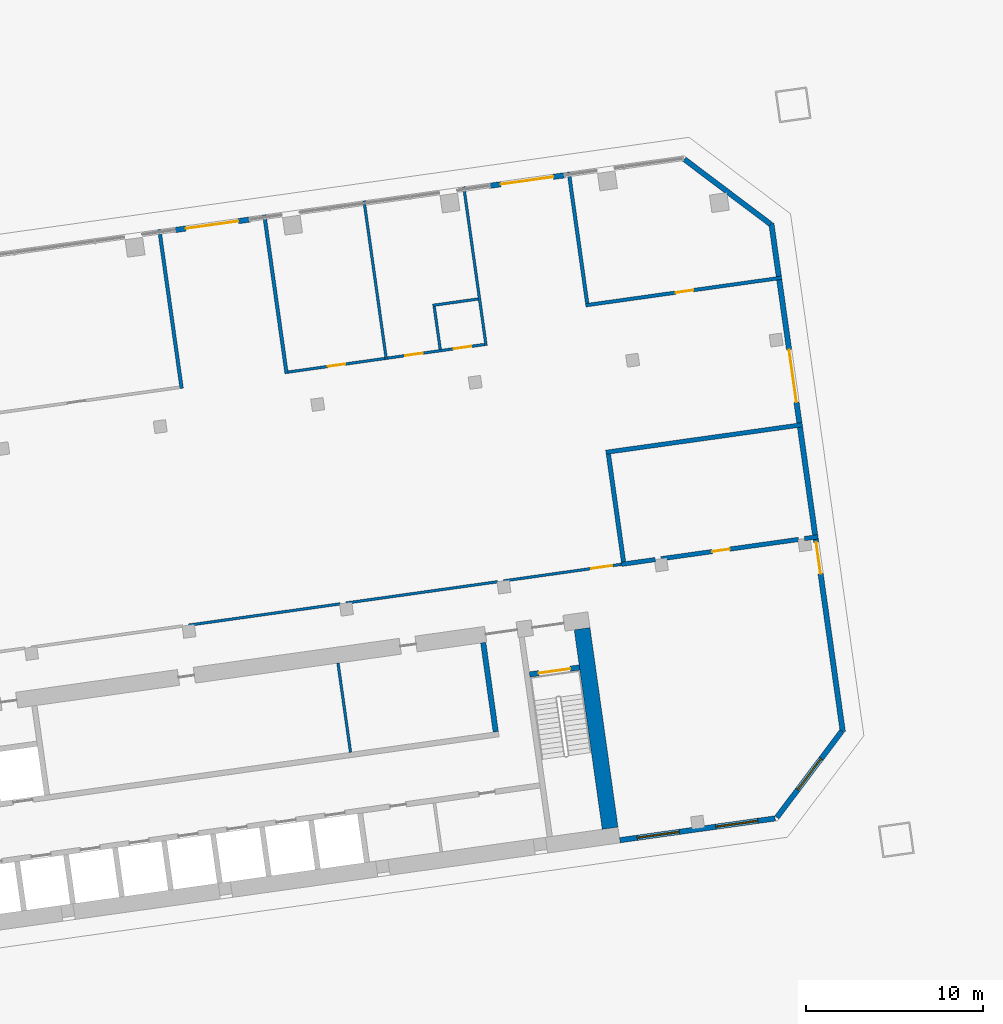
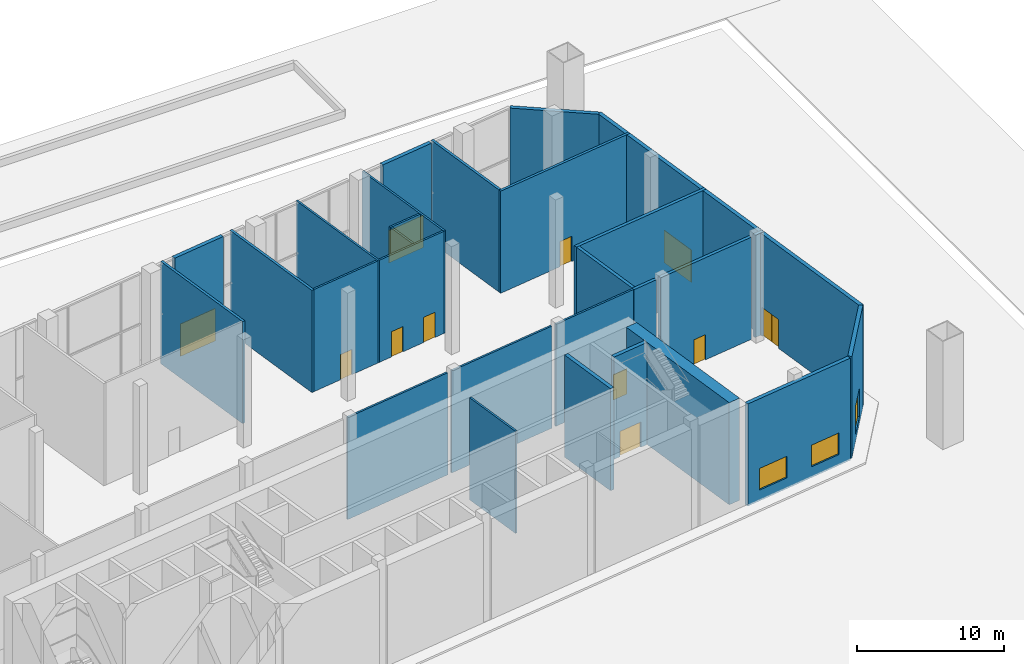
# One storey, part 28 of 34: 28 walls, 11 doors, 3 windows, 14 openings.
"""IFC4 building model written with IfcOpenShell, lengths in metres."""

from ifc_helpers import new_model, si_unit, direction, frame, frame_2d, origin, place, context, subcontext, project, spatial, rectangle, extrude, material, layer, layer_set, type_object, element, fill, save


model = new_model("IFC4")

# Units and contexts
model_context = context("Model", 3, precision=1e-05, world=origin(), true_north=direction((0.0, 1.0)))
body_context = subcontext(model_context, "Body", "Model", "MODEL_VIEW")
ifc_project = project(units=[si_unit("LENGTHUNIT", "METRE"), si_unit("AREAUNIT", "SQUARE_METRE"), si_unit("VOLUMEUNIT", "CUBIC_METRE"), si_unit("PLANEANGLEUNIT", "RADIAN"), si_unit("MASSUNIT", "GRAM", prefix="KILO")], contexts=[model_context])

# Site, building, storey
site_placement = place(None, origin())
site = spatial("IfcSite", under=ifc_project, at=site_placement, CompositionType="ELEMENT")
building_placement = place(site_placement, origin())
building = spatial("IfcBuilding", under=site, at=building_placement, Name="Mirante Cascada Hotel Towers", CompositionType="ELEMENT")
storey_placement = place(building_placement, origin())
storey = spatial("IfcBuildingStorey", under=building, at=storey_placement, Name="L00", CompositionType="ELEMENT", Elevation=0.0)

# Wall
ifc_material_1 = material(Name="Masonry block", Category="masonry")
ifc_layer_1 = layer(ifc_material_1, 0.15)
ifc_layer_set_1 = layer_set([ifc_layer_1], Name="Core room partition 150 block EI 30")
wall_type_1 = type_object("IfcWallType", Name="Core room partition 150 block EI 30", PredefinedType="PARTITIONING", material=ifc_layer_set_1)
wall_1_placement = place(storey_placement, frame((75.3131, -7.5476, 0.0), z_axis=(0.0, 0.0, 1.0), x_axis=(-0.1391782, 0.9902673, 0.0)))
element("IfcWall", 1, at=wall_1_placement, inside=storey, type_object=wall_type_1, Name="Core wall partition T2 L00 5", PredefinedType="PARTITIONING", context=body_context, shape_type="SweptSolid", body=[
    extrude(rectangle(XDim=5.0999, YDim=0.15, at=frame_2d((2.55, 0.0))), origin(), (0.0, 0.0, 1.0), 8.5),
])

# Wall, opening, door
ifc_material_2 = material(Name="Masonry block", Category="masonry")
ifc_layer_2 = layer(ifc_material_2, 0.15)
ifc_layer_set_2 = layer_set([ifc_layer_2], Name="Corridor wall 150 block")
wall_type_2 = type_object("IfcWallType", Name="Corridor wall 150 block", PredefinedType="PARTITIONING", material=ifc_layer_set_2)
wall_2_placement = place(storey_placement, frame((71.7741, 13.9692, 0.0), z_axis=(0.0, 0.0, 1.0), x_axis=(0.9902658, 0.1391891, 0.0)))
wall_2 = element("IfcWall", 2, at=wall_2_placement, inside=storey, type_object=wall_type_2, Name="Corridor wall T2 L00", PredefinedType="PARTITIONING", context=body_context, shape_type="SweptSolid", body=[
    extrude(rectangle(XDim=5.545, YDim=0.15, at=frame_2d((2.7725, 0.0))), origin(), (0.0, 0.0, 1.0), 8.5),
])
opening_1_placement = place(wall_2_placement, frame((2.2725, 0.0, 0.0)))
opening_1 = element("IfcOpeningElement", 3, at=opening_1_placement, cuts=wall_2, Name="Opening DP2-L00-09", PredefinedType="OPENING", context=body_context, shape_type="SweptSolid", body=[
    extrude(rectangle(XDim=1.0, YDim=2.1, at=frame_2d((0.5, 1.05))), frame((0.0, 0.075, 0.0), z_axis=(0.0, -1.0, 0.0), x_axis=(1.0, 0.0, 0.0)), (0.0, 0.0, 1.0), 0.15),
])
ifc_material_3 = material(Name="Timber door leaf", Category="wood")
door_type_1 = type_object("IfcDoorType", Name="Single door 1000x2100", OperationType="NOTDEFINED", PredefinedType="DOOR", material=ifc_material_3)
door_1_placement = place(opening_1_placement, origin())
door_1 = element("IfcDoor", 4, at=door_1_placement, inside=storey, type_object=door_type_1, Name="Door DP2-L00-09", OperationType="SINGLE_SWING_LEFT", OverallHeight=2.1, OverallWidth=1.0, PredefinedType="DOOR", context=body_context, shape_type="SweptSolid", body=[
    extrude(rectangle(XDim=1.0, YDim=2.1, at=frame_2d((0.5, 1.05))), frame((0.0, 0.025, 0.0), z_axis=(0.0, -1.0, 0.0), x_axis=(1.0, 0.0, 0.0)), (0.0, 0.0, 1.0), 0.05),
])
fill(opening_1, door_1)

# Walls
ifc_material_4 = material(Name="Masonry block", Category="masonry")
ifc_layer_3 = layer(ifc_material_4, 0.15)
ifc_layer_set_3 = layer_set([ifc_layer_3], Name="Exit passage wall 150 block EI 120")
wall_type_3 = type_object("IfcWallType", Name="Exit passage wall 150 block EI 120", PredefinedType="PARTITIONING", material=ifc_layer_set_3)
for number, where, z_axis, x_axis, name in (
    (5, (66.1472, -0.3533, 0.0), (0.0, 0.0, 1.0), (0.990268, 0.1391735, 0.0), "Exit passage wall T2 L00"),
    (6, (75.0596, 0.8993, 0.0), (0.0, 0.0, 1.0), (0.990268, 0.1391735, 0.0), "Exit passage wall T2 L00"),
):
    element("IfcWall", number, at=place(storey_placement, frame(where, z_axis=z_axis, x_axis=x_axis)), inside=storey, type_object=wall_type_3, Name=name, PredefinedType="PARTITIONING", context=body_context, shape_type="SweptSolid", body=[
        extrude(rectangle(XDim=8.6712, YDim=0.15, at=frame_2d((4.3356, 0.0))), origin(), (0.0, 0.0, 1.0), 8.5),
    ])

# Wall, opening, door
wall_3_placement = place(storey_placement, frame((83.972, 2.1518, 0.0), z_axis=(0.0, 0.0, 1.0), x_axis=(0.9902673, 0.1391782, 0.0)))
wall_3 = element("IfcWall", 7, at=wall_3_placement, inside=storey, type_object=wall_type_3, Name="Exit passage wall T2 L00", PredefinedType="PARTITIONING", context=body_context, shape_type="SweptSolid", body=[
    extrude(rectangle(XDim=6.7604, YDim=0.15, at=frame_2d((3.3802, 0.0))), origin(), (0.0, 0.0, 1.0), 8.5),
])
opening_2_placement = place(wall_3_placement, frame((5.0129, 0.0, 0.0)))
opening_2 = element("IfcOpeningElement", 8, at=opening_2_placement, cuts=wall_3, Name="Opening DP2-L00-02", PredefinedType="OPENING", context=body_context, shape_type="SweptSolid", body=[
    extrude(rectangle(XDim=1.2, YDim=2.1, at=frame_2d((0.6, 1.05))), frame((0.0, 0.075, 0.0), z_axis=(0.0, -1.0, 0.0), x_axis=(1.0, 0.0, 0.0)), (0.0, 0.0, 1.0), 0.15),
])
ifc_material_5 = material(Name="Hollow metal fire door leaf")
door_type_2 = type_object("IfcDoorType", Name="Fire door 1200x2100 FD60", OperationType="NOTDEFINED", PredefinedType="DOOR", material=ifc_material_5)
door_2_placement = place(opening_2_placement, frame((1.2, 0.0, 0.0), z_axis=(0.0, 0.0, 1.0), x_axis=(-1.0, 0.0, 0.0)))
door_2 = element("IfcDoor", 9, at=door_2_placement, inside=storey, type_object=door_type_2, Name="Door DP2-L00-02", OperationType="SINGLE_SWING_RIGHT", OverallHeight=2.1, OverallWidth=1.2, PredefinedType="DOOR", context=body_context, shape_type="SweptSolid", body=[
    extrude(rectangle(XDim=1.2, YDim=2.1, at=frame_2d((0.6, 1.05))), frame((0.0, 0.025, 0.0), z_axis=(0.0, -1.0, 0.0), x_axis=(1.0, 0.0, 0.0)), (0.0, 0.0, 1.0), 0.05),
])
fill(opening_2, door_2)

# Walls
ifc_material_6 = material(Name="Masonry block", Category="masonry")
ifc_layer_4 = layer(ifc_material_6, 0.2)
ifc_layer_set_4 = layer_set([ifc_layer_4], Name="Hall wall 200 block")
wall_type_4 = type_object("IfcWallType", Name="Hall wall 200 block", PredefinedType="PARTITIONING", material=ifc_layer_set_4)
for number, where, z_axis, x_axis, name in (
    (10, (64.4908, 22.0341, 0.0), (0.0, 0.0, 1.0), (0.1391733, -0.990268, 0.0), "Hall wall T2 L00"),
    (11, (70.4324, 22.8691, 0.0), (0.0, 0.0, 1.0), (0.1391733, -0.990268, 0.0), "Hall wall T2 L00"),
):
    element("IfcWall", number, at=place(storey_placement, frame(where, z_axis=z_axis, x_axis=x_axis)), inside=storey, type_object=wall_type_4, Name=name, PredefinedType="PARTITIONING", context=body_context, shape_type="SweptSolid", body=[
        extrude(rectangle(XDim=9.075, YDim=0.2, at=frame_2d((4.5375, 0.0))), origin(), (0.0, 0.0, 1.0), 8.5),
    ])
wall_4_placement = place(storey_placement, frame((87.663, 25.2907, 0.0), z_axis=(0.0, 0.0, 1.0), x_axis=(0.1391735, -0.990268, 0.0)))
element("IfcWall", 12, at=wall_4_placement, inside=storey, type_object=wall_type_4, Name="Hall wall T2 L00", PredefinedType="PARTITIONING", context=body_context, shape_type="SweptSolid", body=[
    extrude(rectangle(XDim=7.5, YDim=0.2, at=frame_2d((3.75, 0.0))), origin(), (0.0, 0.0, 1.0), 8.5),
])

# Wall, opening, door
wall_5_placement = place(storey_placement, frame((88.6217, 17.7508, 0.0), z_axis=(0.0, 0.0, 1.0), x_axis=(0.9902685, 0.1391697, 0.0)))
wall_5 = element("IfcWall", 13, at=wall_5_placement, inside=storey, type_object=wall_type_4, Name="Hall wall T2 L00", PredefinedType="PARTITIONING", context=body_context, shape_type="SweptSolid", body=[
    extrude(rectangle(XDim=11.2, YDim=0.2, at=frame_2d((5.6, 0.0))), origin(), (0.0, 0.0, 1.0), 8.5),
])
opening_3_placement = place(wall_5_placement, frame((5.15, 0.0, 0.0)))
opening_3 = element("IfcOpeningElement", 14, at=opening_3_placement, cuts=wall_5, Name="Opening DP2-L00-06", PredefinedType="OPENING", context=body_context, shape_type="SweptSolid", body=[
    extrude(rectangle(XDim=1.0, YDim=2.1, at=frame_2d((0.5, 1.05))), frame((0.0, 0.1, 0.0), z_axis=(0.0, -1.0, 0.0), x_axis=(1.0, 0.0, 0.0)), (0.0, 0.0, 1.0), 0.2),
])
door_3_placement = place(opening_3_placement, origin())
door_3 = element("IfcDoor", 15, at=door_3_placement, inside=storey, type_object=door_type_1, Name="Door DP2-L00-06", OperationType="SINGLE_SWING_RIGHT", OverallHeight=2.1, OverallWidth=1.0, PredefinedType="DOOR", context=body_context, shape_type="SweptSolid", body=[
    extrude(rectangle(XDim=1.0, YDim=2.1, at=frame_2d((0.5, 1.05))), frame((0.0, 0.025, 0.0), z_axis=(0.0, -1.0, 0.0), x_axis=(1.0, 0.0, 0.0)), (0.0, 0.0, 1.0), 0.05),
])
fill(opening_3, door_3)

# Walls
ifc_material_7 = material(Name="Masonry block", Category="masonry")
ifc_layer_5 = layer(ifc_material_7, 0.25)
ifc_layer_set_5 = layer_set([ifc_layer_5], Name="Plant room wall 250 block EI 120")
wall_type_5 = type_object("IfcWallType", Name="Plant room wall 250 block EI 120", PredefinedType="PARTITIONING", material=ifc_layer_set_5)
wall_6_placement = place(storey_placement, frame((89.9058, 9.3326, 0.0), z_axis=(0.0, 0.0, 1.0), x_axis=(0.139171, -0.9902684, 0.0)))
element("IfcWall", 16, at=wall_6_placement, inside=storey, type_object=wall_type_5, Name="Plant room wall T2 L00", PredefinedType="PARTITIONING", context=body_context, shape_type="SweptSolid", body=[
    extrude(rectangle(XDim=6.16, YDim=0.25, at=frame_2d((3.08, 0.0))), origin(), (0.0, 0.0, 1.0), 8.5),
])
wall_7_placement = place(storey_placement, frame((90.6468, 3.0899, 0.0), z_axis=(0.0, 0.0, 1.0), x_axis=(0.9902691, 0.139166, 0.0)))
element("IfcWall", 17, at=wall_7_placement, inside=storey, type_object=wall_type_5, Name="Plant room wall T2 L00", PredefinedType="PARTITIONING", context=body_context, shape_type="SweptSolid", body=[
    extrude(rectangle(XDim=1.9308, YDim=0.25, at=frame_2d((0.9654, 0.0))), origin(), (0.0, 0.0, 1.0), 8.5),
])
wall_8_placement = place(storey_placement, frame((89.766, 9.429, 0.0), z_axis=(0.0, 0.0, 1.0), x_axis=(0.9902671, 0.1391798, 0.0)))
element("IfcWall", 18, at=wall_8_placement, inside=storey, type_object=wall_type_5, Name="Plant room wall T2 L00", PredefinedType="PARTITIONING", context=body_context, shape_type="SweptSolid", body=[
    extrude(rectangle(XDim=11.2251, YDim=0.25, at=frame_2d((5.6126, 0.0))), origin(), (0.0, 0.0, 1.0), 8.5),
])

# Wall, opening, door
wall_9_placement = place(storey_placement, frame((92.8845, 3.4044, 0.0), z_axis=(0.0, 0.0, 1.0), x_axis=(0.9902671, 0.1391799, 0.0)))
wall_9 = element("IfcWall", 19, at=wall_9_placement, inside=storey, type_object=wall_type_5, Name="Plant room wall T2 L00", PredefinedType="PARTITIONING", context=body_context, shape_type="SweptSolid", body=[
    extrude(rectangle(XDim=7.8711, YDim=0.25, at=frame_2d((3.9356, 0.0))), origin(), (0.0, 0.0, 1.0), 8.5),
])
opening_4_placement = place(wall_9_placement, frame((2.9253, 0.0, 0.0)))
opening_4 = element("IfcOpeningElement", 20, at=opening_4_placement, cuts=wall_9, Name="Opening DP2-L00-05", PredefinedType="OPENING", context=body_context, shape_type="SweptSolid", body=[
    extrude(rectangle(XDim=1.0, YDim=2.1, at=frame_2d((0.5, 1.05))), frame((0.0, 0.125, 0.0), z_axis=(0.0, -1.0, 0.0), x_axis=(1.0, 0.0, 0.0)), (0.0, 0.0, 1.0), 0.25),
])
ifc_material_8 = material(Name="Hollow metal fire door leaf")
door_type_3 = type_object("IfcDoorType", Name="Fire door 1000x2100 FD60", OperationType="NOTDEFINED", PredefinedType="DOOR", material=ifc_material_8)
door_4_placement = place(opening_4_placement, origin())
door_4 = element("IfcDoor", 21, at=door_4_placement, inside=storey, type_object=door_type_3, Name="Door DP2-L00-05", OperationType="SINGLE_SWING_LEFT", OverallHeight=2.1, OverallWidth=1.0, PredefinedType="DOOR", context=body_context, shape_type="SweptSolid", body=[
    extrude(rectangle(XDim=1.0, YDim=2.1, at=frame_2d((0.5, 1.05))), frame((0.0, 0.025, 0.0), z_axis=(0.0, -1.0, 0.0), x_axis=(1.0, 0.0, 0.0)), (0.0, 0.0, 1.0), 0.05),
])
fill(opening_4, door_4)

# Wall
wall_10_placement = place(storey_placement, frame((101.0045, 4.5456, 0.0), z_axis=(0.0, 0.0, 1.0), x_axis=(0.9902566, 0.1392548, 0.0)))
element("IfcWall", 22, at=wall_10_placement, inside=storey, type_object=wall_type_5, Name="Plant room wall T2 L00", PredefinedType="PARTITIONING", context=body_context, shape_type="SweptSolid", body=[
    extrude(rectangle(XDim=0.7756, YDim=0.25, at=frame_2d((0.3878, 0.0))), origin(), (0.0, 0.0, 1.0), 8.5),
])

# Wall, opening, door
ifc_material_9 = material(Name="Precast concrete C40/50", Category="concrete")
ifc_layer_6 = layer(ifc_material_9, 0.3)
ifc_layer_set_6 = layer_set([ifc_layer_6], Name="Precast concrete C40/50 cladding wall 300")
wall_type_6 = type_object("IfcWallType", Name="Precast concrete C40/50 cladding wall 300", PredefinedType="STANDARD", material=ifc_layer_set_6)
wall_11_placement = place(storey_placement, frame((87.3868, 25.1004, 0.0), z_axis=(0.0, 0.0, 1.0), x_axis=(-0.9902688, -0.1391676, 0.0)))
wall_11 = element("IfcWall", 23, at=wall_11_placement, inside=storey, type_object=wall_type_6, Name="Entrance pier wall L00 T2:L00:front:2", PredefinedType="STANDARD", context=body_context, shape_type="SweptSolid", body=[
    extrude(rectangle(XDim=4.2, YDim=0.3, at=frame_2d((2.1, 0.0))), origin(), (0.0, 0.0, 1.0), 8.5),
])
opening_5_placement = place(wall_11_placement, frame((0.6, 0.0, 0.0)))
opening_5 = element("IfcOpeningElement", 24, at=opening_5_placement, cuts=wall_11, Name="Opening DP-00-94", PredefinedType="OPENING", context=body_context, shape_type="SweptSolid", body=[
    extrude(rectangle(XDim=3.0, YDim=2.7, at=frame_2d((1.5, 1.35))), frame((0.0, 0.15, 0.0), z_axis=(0.0, -1.0, 0.0), x_axis=(1.0, 0.0, 0.0)), (0.0, 0.0, 1.0), 0.3),
])
ifc_material_10 = material(Name="Aluminium frame with clear laminated glazing", Category="aluminium")
door_type_4 = type_object("IfcDoorType", Name="Exit double door 3000x2700", OperationType="DOUBLE_DOOR_SINGLE_SWING", PredefinedType="DOOR", material=ifc_material_10)
door_5_placement = place(opening_5_placement, frame((3.0, 0.0, 0.0), z_axis=(0.0, 0.0, 1.0), x_axis=(-1.0, 0.0, 0.0)))
door_5 = element("IfcDoor", 25, at=door_5_placement, inside=storey, type_object=door_type_4, Name="Exit door DP-00-94", OperationType="DOUBLE_DOOR_SINGLE_SWING", OverallHeight=2.7, OverallWidth=3.0, PredefinedType="DOOR", context=body_context, shape_type="SweptSolid", body=[
    extrude(rectangle(XDim=1.495, YDim=2.7, at=frame_2d((0.7475, 1.35))), frame((0.0, 0.025, 0.0), z_axis=(0.0, -1.0, 0.0), x_axis=(1.0, 0.0, 0.0)), (0.0, 0.0, 1.0), 0.05),
    extrude(rectangle(XDim=1.495, YDim=2.7, at=frame_2d((2.2525, 1.35))), frame((0.0, 0.025, 0.0), z_axis=(0.0, -1.0, 0.0), x_axis=(1.0, 0.0, 0.0)), (0.0, 0.0, 1.0), 0.05),
])
fill(opening_5, door_5)

wall_12_placement = place(storey_placement, frame((69.562, 22.5953, 0.0), z_axis=(0.0, 0.0, 1.0), x_axis=(-0.9902688, -0.1391676, 0.0)))
wall_12 = element("IfcWall", 26, at=wall_12_placement, inside=storey, type_object=wall_type_6, Name="Entrance pier wall L00 T2:L00:front:4", PredefinedType="STANDARD", context=body_context, shape_type="SweptSolid", body=[
    extrude(rectangle(XDim=4.2, YDim=0.3, at=frame_2d((2.1, 0.0))), origin(), (0.0, 0.0, 1.0), 8.5),
])
opening_6_placement = place(wall_12_placement, frame((0.6, 0.0, 0.0)))
opening_6 = element("IfcOpeningElement", 27, at=opening_6_placement, cuts=wall_12, Name="Opening DP-00-95", PredefinedType="OPENING", context=body_context, shape_type="SweptSolid", body=[
    extrude(rectangle(XDim=3.0, YDim=2.7, at=frame_2d((1.5, 1.35))), frame((0.0, 0.15, 0.0), z_axis=(0.0, -1.0, 0.0), x_axis=(1.0, 0.0, 0.0)), (0.0, 0.0, 1.0), 0.3),
])
door_6_placement = place(opening_6_placement, frame((3.0, 0.0, 0.0), z_axis=(0.0, 0.0, 1.0), x_axis=(-1.0, 0.0, 0.0)))
door_6 = element("IfcDoor", 28, at=door_6_placement, inside=storey, type_object=door_type_4, Name="Exit door DP-00-95", OperationType="DOUBLE_DOOR_SINGLE_SWING", OverallHeight=2.7, OverallWidth=3.0, PredefinedType="DOOR", context=body_context, shape_type="SweptSolid", body=[
    extrude(rectangle(XDim=1.495, YDim=2.7, at=frame_2d((0.7475, 1.35))), frame((0.0, 0.025, 0.0), z_axis=(0.0, -1.0, 0.0), x_axis=(1.0, 0.0, 0.0)), (0.0, 0.0, 1.0), 0.05),
    extrude(rectangle(XDim=1.495, YDim=2.7, at=frame_2d((2.2525, 1.35))), frame((0.0, 0.025, 0.0), z_axis=(0.0, -1.0, 0.0), x_axis=(1.0, 0.0, 0.0)), (0.0, 0.0, 1.0), 0.05),
])
fill(opening_6, door_6)

# Wall, openings, windows
wall_13_placement = place(storey_placement, frame((90.5541, -12.5249, 0.0), z_axis=(0.0, 0.0, 1.0), x_axis=(0.9902678, 0.1391749, 0.0)))
wall_13 = element("IfcWall", 29, at=wall_13_placement, inside=storey, type_object=wall_type_6, Name="Rear cladding wall T2 L00 1", PredefinedType="STANDARD", context=body_context, shape_type="SweptSolid", body=[
    extrude(rectangle(XDim=8.8759, YDim=0.3, at=frame_2d((4.438, 0.0))), origin(), (0.0, 0.0, 1.0), 8.5),
])
opening_7_placement = place(wall_13_placement, frame((1.0012, 0.0, 0.9)))
opening_7 = element("IfcOpeningElement", 30, at=opening_7_placement, cuts=wall_13, Name="Opening W2-00-01", PredefinedType="OPENING", context=body_context, shape_type="SweptSolid", body=[
    extrude(rectangle(XDim=2.4, YDim=1.8, at=frame_2d((1.2, 0.9))), frame((0.0, 0.15, 0.0), z_axis=(0.0, -1.0, 0.0), x_axis=(1.0, 0.0, 0.0)), (0.0, 0.0, 1.0), 0.3),
])
opening_8_placement = place(wall_13_placement, frame((5.4923, 0.0, 0.9)))
opening_8 = element("IfcOpeningElement", 31, at=opening_8_placement, cuts=wall_13, Name="Opening W2-00-02", PredefinedType="OPENING", context=body_context, shape_type="SweptSolid", body=[
    extrude(rectangle(XDim=2.4, YDim=1.8, at=frame_2d((1.2, 0.9))), frame((0.0, 0.15, 0.0), z_axis=(0.0, -1.0, 0.0), x_axis=(1.0, 0.0, 0.0)), (0.0, 0.0, 1.0), 0.3),
])
ifc_material_11 = material(Name="Aluminium frame with clear double glazing", Category="aluminium")
window_type_1 = type_object("IfcWindowType", Name="Punched window 2400x1800", PartitioningType="DOUBLE_PANEL_VERTICAL", PredefinedType="WINDOW", material=ifc_material_11)
window_1_placement = place(opening_7_placement, origin())
window_1 = element("IfcWindow", 32, at=window_1_placement, inside=storey, type_object=window_type_1, Name="Window W2-00-01", OverallHeight=1.8, OverallWidth=2.4, PartitioningType="SINGLE_PANEL", PredefinedType="WINDOW", context=body_context, shape_type="SweptSolid", body=[
    extrude(rectangle(XDim=2.4, YDim=1.8, at=frame_2d((1.2, 0.9))), frame((0.0, 0.03, 0.0), z_axis=(0.0, -1.0, 0.0), x_axis=(1.0, 0.0, 0.0)), (0.0, 0.0, 1.0), 0.06),
])
fill(opening_7, window_1)
window_2_placement = place(opening_8_placement, origin())
window_2 = element("IfcWindow", 33, at=window_2_placement, inside=storey, type_object=window_type_1, Name="Window W2-00-02", OverallHeight=1.8, OverallWidth=2.4, PartitioningType="SINGLE_PANEL", PredefinedType="WINDOW", context=body_context, shape_type="SweptSolid", body=[
    extrude(rectangle(XDim=2.4, YDim=1.8, at=frame_2d((1.2, 0.9))), frame((0.0, 0.03, 0.0), z_axis=(0.0, -1.0, 0.0), x_axis=(1.0, 0.0, 0.0)), (0.0, 0.0, 1.0), 0.06),
])
fill(opening_8, window_2)

# Wall, opening, window
wall_14_placement = place(storey_placement, frame((99.4423, -11.2315, 0.0), z_axis=(0.0, 0.0, 1.0), x_axis=(0.6018141, 0.7986362, 0.0)))
wall_14 = element("IfcWall", 34, at=wall_14_placement, inside=storey, type_object=wall_type_6, Name="Corner cladding wall T2 L00 rear outer", PredefinedType="STANDARD", context=body_context, shape_type="SweptSolid", body=[
    extrude(rectangle(XDim=6.1157, YDim=0.3, at=frame_2d((3.0578, 0.0))), origin(), (0.0, 0.0, 1.0), 8.5),
])
opening_9_placement = place(wall_14_placement, frame((1.9578, 0.0, 0.6)))
opening_9 = element("IfcOpeningElement", 35, at=opening_9_placement, cuts=wall_14, Name="Opening W2-00-03", PredefinedType="OPENING", context=body_context, shape_type="SweptSolid", body=[
    extrude(rectangle(XDim=2.2, YDim=2.4, at=frame_2d((1.1, 1.2))), frame((0.0, 0.15, 0.0), z_axis=(0.0, -1.0, 0.0), x_axis=(1.0, 0.0, 0.0)), (0.0, 0.0, 1.0), 0.3),
])
ifc_material_12 = material(Name="Aluminium frame with clear double glazing", Category="aluminium")
window_type_2 = type_object("IfcWindowType", Name="Corner suite window 2200x2400", PartitioningType="DOUBLE_PANEL_VERTICAL", PredefinedType="WINDOW", material=ifc_material_12)
window_3_placement = place(opening_9_placement, origin())
window_3 = element("IfcWindow", 36, at=window_3_placement, inside=storey, type_object=window_type_2, Name="Window W2-00-03", OverallHeight=2.4, OverallWidth=2.2, PartitioningType="SINGLE_PANEL", PredefinedType="WINDOW", context=body_context, shape_type="SweptSolid", body=[
    extrude(rectangle(XDim=2.2, YDim=2.4, at=frame_2d((1.1, 1.2))), frame((0.0, 0.03, 0.0), z_axis=(0.0, -1.0, 0.0), x_axis=(1.0, 0.0, 0.0)), (0.0, 0.0, 1.0), 0.06),
])
fill(opening_9, window_3)

# Wall
wall_15_placement = place(storey_placement, frame((99.0919, 22.3343, 0.0), z_axis=(0.0, 0.0, 1.0), x_axis=(-0.7986362, 0.6018141, 0.0)))
element("IfcWall", 37, at=wall_15_placement, inside=storey, type_object=wall_type_6, Name="Corner cladding wall T2 L00 outer front", PredefinedType="STANDARD", context=body_context, shape_type="SweptSolid", body=[
    extrude(rectangle(XDim=6.1157, YDim=0.3, at=frame_2d((3.0578, 0.0))), origin(), (0.0, 0.0, 1.0), 8.5),
])

# Wall, openings, doors
ifc_material_13 = material(Name="Precast concrete C40/50", Category="concrete")
ifc_layer_7 = layer(ifc_material_13, 0.3)
ifc_layer_set_7 = layer_set([ifc_layer_7], Name="Precast concrete C40/50 cladding wall 300 EI 120")
wall_type_7 = type_object("IfcWallType", Name="Precast concrete C40/50 cladding wall 300 EI 120", PredefinedType="STANDARD", material=ifc_layer_set_7)
wall_16_placement = place(storey_placement, frame((103.1723, -6.3846, 0.0), z_axis=(0.0, 0.0, 1.0), x_axis=(-0.1391719, 0.9902682, 0.0)))
wall_16 = element("IfcWall", 38, at=wall_16_placement, inside=storey, type_object=wall_type_7, Name="Outer end wall T2 L00", PredefinedType="STANDARD", context=body_context, shape_type="SweptSolid", body=[
    extrude(rectangle(XDim=29.0511, YDim=0.3, at=frame_2d((14.5256, 0.0))), origin(), (0.0, 0.0, 1.0), 8.5),
])
opening_10_placement = place(wall_16_placement, frame((9.0255, 0.0, 0.0)))
opening_10 = element("IfcOpeningElement", 39, at=opening_10_placement, cuts=wall_16, Name="Opening D2-00-91", PredefinedType="OPENING", context=body_context, shape_type="SweptSolid", body=[
    extrude(rectangle(XDim=1.8, YDim=2.4, at=frame_2d((0.9, 1.2))), frame((0.0, 0.15, 0.0), z_axis=(0.0, -1.0, 0.0), x_axis=(1.0, 0.0, 0.0)), (0.0, 0.0, 1.0), 0.3),
])
opening_11_placement = place(wall_16_placement, frame((18.8377, 0.0, 0.0)))
opening_11 = element("IfcOpeningElement", 40, at=opening_11_placement, cuts=wall_16, Name="Opening D2-00-92", PredefinedType="OPENING", context=body_context, shape_type="SweptSolid", body=[
    extrude(rectangle(XDim=3.0, YDim=2.7, at=frame_2d((1.5, 1.35))), frame((0.0, 0.15, 0.0), z_axis=(0.0, -1.0, 0.0), x_axis=(1.0, 0.0, 0.0)), (0.0, 0.0, 1.0), 0.3),
])
door_7_placement = place(opening_11_placement, frame((3.0, 0.0, 0.0), z_axis=(0.0, 0.0, 1.0), x_axis=(-1.0, 0.0, 0.0)))
door_7 = element("IfcDoor", 41, at=door_7_placement, inside=storey, type_object=door_type_4, Name="Exit door D2-00-92", OperationType="DOUBLE_DOOR_SINGLE_SWING", OverallHeight=2.7, OverallWidth=3.0, PredefinedType="DOOR", context=body_context, shape_type="SweptSolid", body=[
    extrude(rectangle(XDim=1.495, YDim=2.7, at=frame_2d((0.7475, 1.35))), frame((0.0, 0.025, 0.0), z_axis=(0.0, -1.0, 0.0), x_axis=(1.0, 0.0, 0.0)), (0.0, 0.0, 1.0), 0.05),
    extrude(rectangle(XDim=1.495, YDim=2.7, at=frame_2d((2.2525, 1.35))), frame((0.0, 0.025, 0.0), z_axis=(0.0, -1.0, 0.0), x_axis=(1.0, 0.0, 0.0)), (0.0, 0.0, 1.0), 0.05),
])
fill(opening_11, door_7)
ifc_material_14 = material(Name="Galvanised hollow metal fire door leaf")
door_type_5 = type_object("IfcDoorType", Name="Stair discharge door 1800x2400 FD60", OperationType="DOUBLE_DOOR_SINGLE_SWING", PredefinedType="DOOR", material=ifc_material_14)
door_8_placement = place(opening_10_placement, frame((1.8, 0.0, 0.0), z_axis=(0.0, 0.0, 1.0), x_axis=(-1.0, 0.0, 0.0)))
door_8 = element("IfcDoor", 42, at=door_8_placement, inside=storey, type_object=door_type_5, Name="Stair discharge door D2-00-91", OperationType="DOUBLE_DOOR_SINGLE_SWING", OverallHeight=2.4, OverallWidth=1.8, PredefinedType="DOOR", context=body_context, shape_type="SweptSolid", body=[
    extrude(rectangle(XDim=0.895, YDim=2.4, at=frame_2d((0.4475, 1.2))), frame((0.0, 0.025, 0.0), z_axis=(0.0, -1.0, 0.0), x_axis=(1.0, 0.0, 0.0)), (0.0, 0.0, 1.0), 0.05),
    extrude(rectangle(XDim=0.895, YDim=2.4, at=frame_2d((1.3525, 1.2))), frame((0.0, 0.025, 0.0), z_axis=(0.0, -1.0, 0.0), x_axis=(1.0, 0.0, 0.0)), (0.0, 0.0, 1.0), 0.05),
])
fill(opening_10, door_8)

# Wall, opening, door
ifc_material_15 = material(Name="Concrete C50/60", Category="concrete")
ifc_layer_8 = layer(ifc_material_15, 0.3)
ifc_layer_set_8 = layer_set([ifc_layer_8], Name="RC core wall 300 C50/60")
wall_type_8 = type_object("IfcWallType", Name="RC core wall 300 C50/60", PredefinedType="SHEAR", material=ifc_layer_set_8)
wall_17_placement = place(storey_placement, frame((85.4489, -3.1441, 0.0), z_axis=(0.0, 0.0, 1.0), x_axis=(0.9902697, 0.1391613, 0.0)))
wall_17 = element("IfcWall", 43, at=wall_17_placement, inside=storey, type_object=wall_type_8, Name="Core wall T2:L00:11", PredefinedType="SHEAR", context=body_context, shape_type="SweptSolid", body=[
    extrude(rectangle(XDim=2.8499, YDim=0.3, at=frame_2d((1.425, 0.0))), origin(), (0.0, 0.0, 1.0), 8.5),
])
opening_12_placement = place(wall_17_placement, frame((0.525, 0.0, 0.0)))
opening_12 = element("IfcOpeningElement", 44, at=opening_12_placement, cuts=wall_17, Name="Opening D2-00-C20", PredefinedType="OPENING", context=body_context, shape_type="SweptSolid", body=[
    extrude(rectangle(XDim=1.8, YDim=2.1, at=frame_2d((0.9, 1.05))), frame((0.0, 0.15, 0.0), z_axis=(0.0, -1.0, 0.0), x_axis=(1.0, 0.0, 0.0)), (0.0, 0.0, 1.0), 0.3),
])
ifc_material_16 = material(Name="Hollow metal fire door leaf")
door_type_6 = type_object("IfcDoorType", Name="Double fire door 1800x2100 FD60", OperationType="DOUBLE_DOOR_SINGLE_SWING", PredefinedType="DOOR", material=ifc_material_16)
door_9_placement = place(opening_12_placement, frame((1.8, 0.0, 0.0), z_axis=(0.0, 0.0, 1.0), x_axis=(-1.0, 0.0, 0.0)))
door_9 = element("IfcDoor", 45, at=door_9_placement, inside=storey, type_object=door_type_6, Name="Stair door T2 L00 20", OperationType="DOUBLE_DOOR_SINGLE_SWING", OverallHeight=2.1, OverallWidth=1.8, PredefinedType="DOOR", context=body_context, shape_type="SweptSolid", body=[
    extrude(rectangle(XDim=0.895, YDim=2.1, at=frame_2d((0.4475, 1.05))), frame((0.0, 0.025, 0.0), z_axis=(0.0, -1.0, 0.0), x_axis=(1.0, 0.0, 0.0)), (0.0, 0.0, 1.0), 0.05),
    extrude(rectangle(XDim=0.895, YDim=2.1, at=frame_2d((1.3525, 1.05))), frame((0.0, 0.025, 0.0), z_axis=(0.0, -1.0, 0.0), x_axis=(1.0, 0.0, 0.0)), (0.0, 0.0, 1.0), 0.05),
])
fill(opening_12, door_9)

# Walls
wall_18_placement = place(storey_placement, frame((83.5323, -6.3925, 0.0), z_axis=(0.0, 0.0, 1.0), x_axis=(-0.1391755, 0.9902677, 0.0)))
element("IfcWall", 46, at=wall_18_placement, inside=storey, type_object=wall_type_8, Name="Core wall T2:L00:36", PredefinedType="SHEAR", context=body_context, shape_type="SweptSolid", body=[
    extrude(rectangle(XDim=5.1, YDim=0.3, at=frame_2d((2.55, 0.0))), origin(), (0.0, 0.0, 1.0), 8.5),
])
ifc_material_17 = material(Name="Concrete C50/60", Category="concrete")
ifc_layer_9 = layer(ifc_material_17, 0.9)
ifc_layer_set_9 = layer_set([ifc_layer_9], Name="RC core wall 900 C50/60")
wall_type_9 = type_object("IfcWallType", Name="RC core wall 900 C50/60", PredefinedType="SHEAR", material=ifc_layer_set_9)
wall_19_placement = place(storey_placement, frame((90.0041, -11.8449, 0.0), z_axis=(0.0, 0.0, 1.0), x_axis=(-0.1391749, 0.9902678, 0.0)))
element("IfcWall", 47, at=wall_19_placement, inside=storey, type_object=wall_type_9, Name="Core wall T2:L00:4", PredefinedType="SHEAR", context=body_context, shape_type="SweptSolid", body=[
    extrude(rectangle(XDim=11.4, YDim=0.9, at=frame_2d((5.7, 0.0))), origin(), (0.0, 0.0, 1.0), 8.5),
])
ifc_material_18 = material(Name="Masonry block", Category="masonry")
ifc_layer_10 = layer(ifc_material_18, 0.15)
ifc_layer_set_10 = layer_set([ifc_layer_10], Name="Wet room wall 150 block")
wall_type_10 = type_object("IfcWallType", Name="Wet room wall 150 block", PredefinedType="PARTITIONING", material=ifc_layer_set_10)
wall_20_placement = place(storey_placement, frame((76.0769, 23.6624, 0.0), z_axis=(0.0, 0.0, 1.0), x_axis=(0.1391733, -0.990268, 0.0)))
element("IfcWall", 48, at=wall_20_placement, inside=storey, type_object=wall_type_10, Name="Wet room wall T2 L00", PredefinedType="PARTITIONING", context=body_context, shape_type="SweptSolid", body=[
    extrude(rectangle(XDim=9.075, YDim=0.15, at=frame_2d((4.5375, 0.0))), origin(), (0.0, 0.0, 1.0), 8.5),
])
wall_21_placement = place(storey_placement, frame((80.0479, 17.6819, 0.0), z_axis=(0.0, 0.0, 1.0), x_axis=(0.139181, -0.990267, 0.0)))
element("IfcWall", 49, at=wall_21_placement, inside=storey, type_object=wall_type_10, Name="Wet room wall T2 L00", PredefinedType="PARTITIONING", context=body_context, shape_type="SweptSolid", body=[
    extrude(rectangle(XDim=2.45, YDim=0.15, at=frame_2d((1.225, 0.0))), origin(), (0.0, 0.0, 1.0), 8.5),
])
wall_22_placement = place(storey_placement, frame((81.7214, 24.4557, 0.0), z_axis=(0.0, 0.0, 1.0), x_axis=(0.1391733, -0.990268, 0.0)))
element("IfcWall", 50, at=wall_22_placement, inside=storey, type_object=wall_type_10, Name="Wet room wall T2 L00", PredefinedType="PARTITIONING", context=body_context, shape_type="SweptSolid", body=[
    extrude(rectangle(XDim=9.075, YDim=0.15, at=frame_2d((4.5375, 0.0))), origin(), (0.0, 0.0, 1.0), 8.5),
])

# Wall, openings, doors
wall_23_placement = place(storey_placement, frame((77.3938, 14.759, 0.0), z_axis=(0.0, 0.0, 1.0), x_axis=(0.9902679, 0.139174, 0.0)))
wall_23 = element("IfcWall", 51, at=wall_23_placement, inside=storey, type_object=wall_type_10, Name="Wet room wall T2 L00", PredefinedType="PARTITIONING", context=body_context, shape_type="SweptSolid", body=[
    extrude(rectangle(XDim=5.57, YDim=0.15, at=frame_2d((2.785, 0.0))), origin(), (0.0, 0.0, 1.0), 8.5),
])
opening_13_placement = place(wall_23_placement, frame((1.0175, 0.0, 0.0)))
opening_13 = element("IfcOpeningElement", 52, at=opening_13_placement, cuts=wall_23, Name="Opening DP2-L00-10", PredefinedType="OPENING", context=body_context, shape_type="SweptSolid", body=[
    extrude(rectangle(XDim=1.0, YDim=2.1, at=frame_2d((0.5, 1.05))), frame((0.0, 0.075, 0.0), z_axis=(0.0, -1.0, 0.0), x_axis=(1.0, 0.0, 0.0)), (0.0, 0.0, 1.0), 0.15),
])
opening_14_placement = place(wall_23_placement, frame((3.8025, 0.0, 0.0)))
opening_14 = element("IfcOpeningElement", 53, at=opening_14_placement, cuts=wall_23, Name="Opening DP2-L00-11", PredefinedType="OPENING", context=body_context, shape_type="SweptSolid", body=[
    extrude(rectangle(XDim=1.0, YDim=2.1, at=frame_2d((0.5, 1.05))), frame((0.0, 0.075, 0.0), z_axis=(0.0, -1.0, 0.0), x_axis=(1.0, 0.0, 0.0)), (0.0, 0.0, 1.0), 0.15),
])
door_10_placement = place(opening_13_placement, origin())
door_10 = element("IfcDoor", 54, at=door_10_placement, inside=storey, type_object=door_type_1, Name="Door DP2-L00-10", OperationType="SINGLE_SWING_RIGHT", OverallHeight=2.1, OverallWidth=1.0, PredefinedType="DOOR", context=body_context, shape_type="SweptSolid", body=[
    extrude(rectangle(XDim=1.0, YDim=2.1, at=frame_2d((0.5, 1.05))), frame((0.0, 0.025, 0.0), z_axis=(0.0, -1.0, 0.0), x_axis=(1.0, 0.0, 0.0)), (0.0, 0.0, 1.0), 0.05),
])
fill(opening_13, door_10)
door_11_placement = place(opening_14_placement, origin())
door_11 = element("IfcDoor", 55, at=door_11_placement, inside=storey, type_object=door_type_1, Name="Door DP2-L00-11", OperationType="SINGLE_SWING_LEFT", OverallHeight=2.1, OverallWidth=1.0, PredefinedType="DOOR", context=body_context, shape_type="SweptSolid", body=[
    extrude(rectangle(XDim=1.0, YDim=2.1, at=frame_2d((0.5, 1.05))), frame((0.0, 0.025, 0.0), z_axis=(0.0, -1.0, 0.0), x_axis=(1.0, 0.0, 0.0)), (0.0, 0.0, 1.0), 0.05),
])
fill(opening_14, door_11)

# Wall
wall_24_placement = place(storey_placement, frame((79.9632, 17.7457, 0.0), z_axis=(0.0, 0.0, 1.0), x_axis=(0.9902707, 0.1391541, 0.0)))
element("IfcWall", 56, at=wall_24_placement, inside=storey, type_object=wall_type_10, Name="Wet room wall T2 L00", PredefinedType="PARTITIONING", context=body_context, shape_type="SweptSolid", body=[
    extrude(rectangle(XDim=2.6, YDim=0.15, at=frame_2d((1.3, 0.0))), origin(), (0.0, 0.0, 1.0), 8.5),
])

save(model, "model.ifc")
